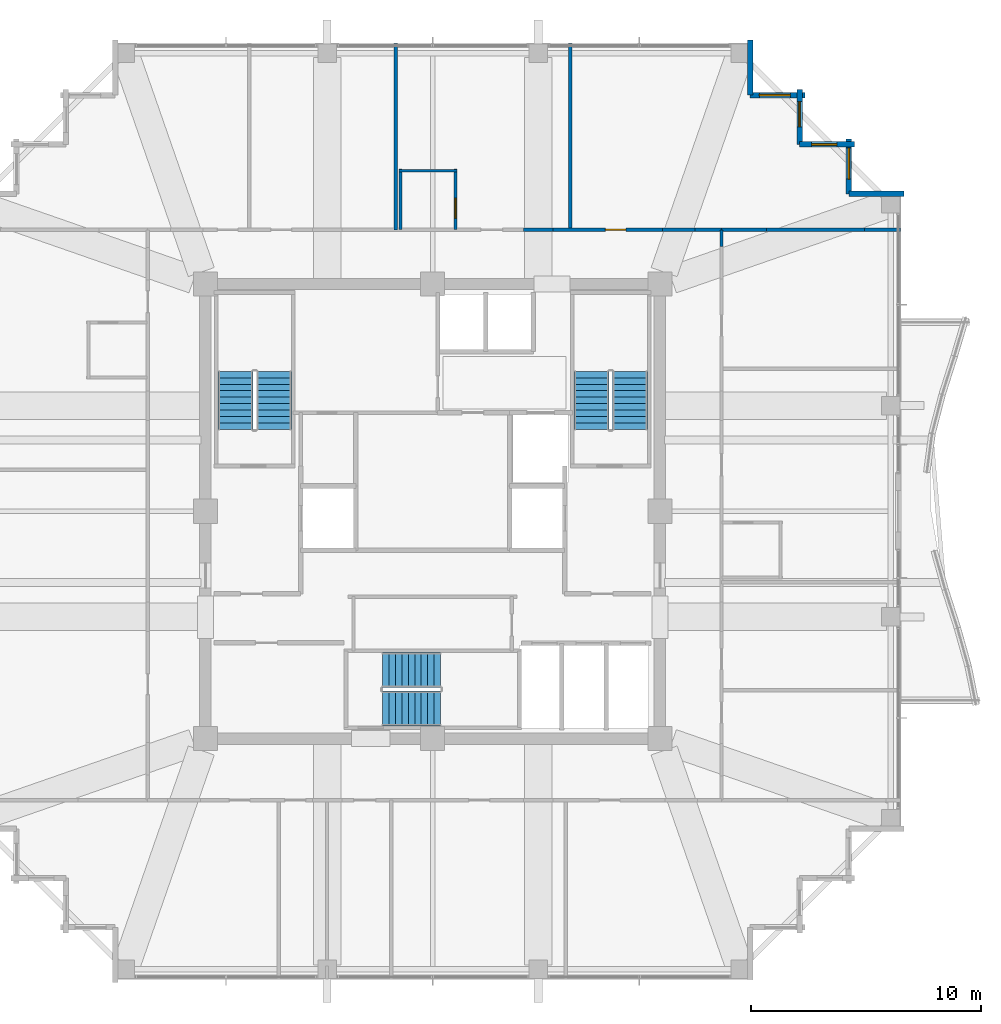
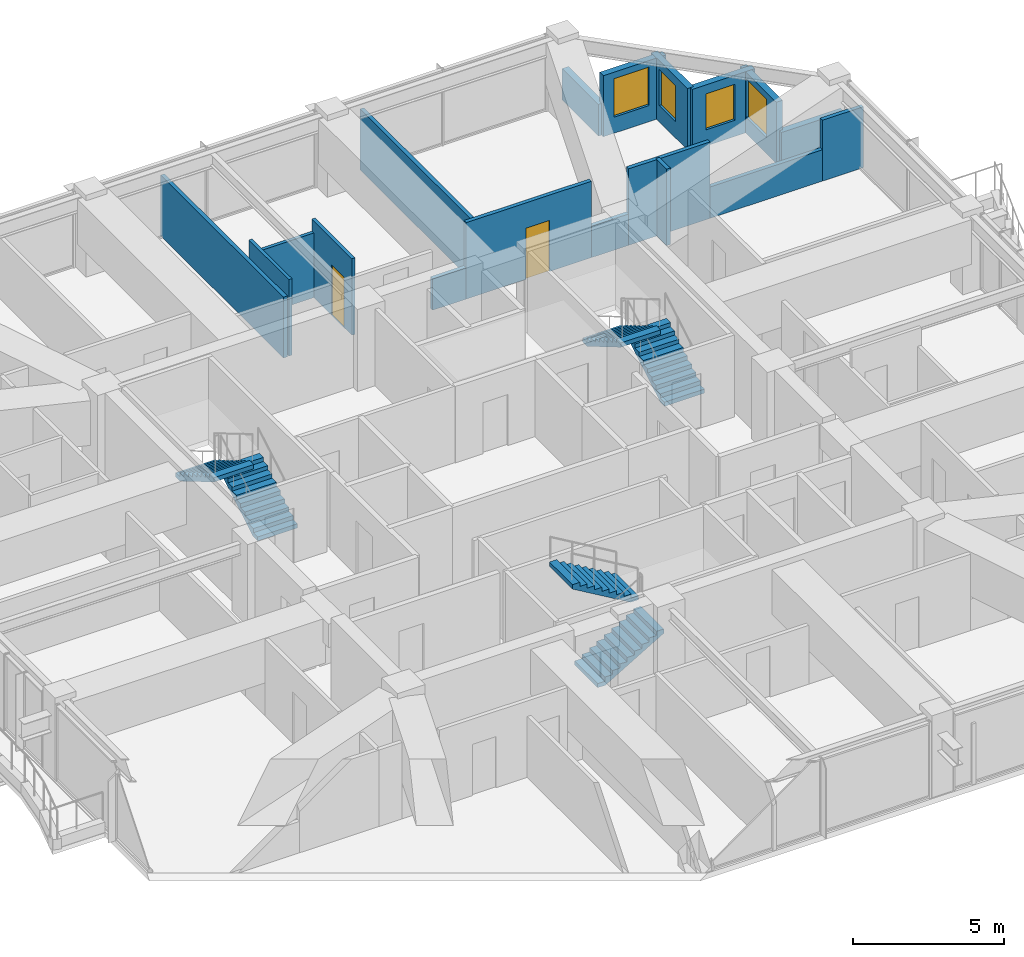
# One storey, part 33 of 35: 19 walls, 6 stair flights, 4 windows, 2 doors, 6 openings, 3 elements without a shape of their own.
"""IFC4 building model written with IfcOpenShell, lengths in metres."""

from ifc_helpers import new_model, si_unit, direction, frame, frame_2d, origin, place, context, subcontext, project, spatial, polyline, rectangle, outline, extrude, material, layer, layer_set, type_object, element, fill, aggregate, save


model = new_model("IFC4")

# Units and contexts
model_context = context("Model", 3, precision=1e-05, world=origin(), true_north=direction((0.0, 1.0)))
body_context = subcontext(model_context, "Body", "Model", "MODEL_VIEW")
ifc_project = project(units=[si_unit("LENGTHUNIT", "METRE"), si_unit("AREAUNIT", "SQUARE_METRE"), si_unit("VOLUMEUNIT", "CUBIC_METRE"), si_unit("PLANEANGLEUNIT", "RADIAN"), si_unit("MASSUNIT", "GRAM", prefix="KILO")], contexts=[model_context])

# Site, building, storey
site_placement = place(None, origin())
site = spatial("IfcSite", under=ifc_project, at=site_placement, CompositionType="ELEMENT")
building_placement = place(site_placement, origin())
building = spatial("IfcBuilding", under=site, at=building_placement, Name="Kolvaren Belvedere", CompositionType="ELEMENT")
storey_placement = place(building_placement, frame((0.0, 0.0, 203.10009765625)))
storey = spatial("IfcBuildingStorey", under=building, at=storey_placement, Name="L59", CompositionType="ELEMENT", Elevation=203.10009765625)

# Wall
ifc_material_1 = material(Name="Gypsum fire-rated partition assembly", Category="gypsum")
ifc_layer_1 = layer(ifc_material_1, 0.14990234375)
ifc_layer_set_1 = layer_set([ifc_layer_1], Name="Gypsum fire-rated partition assembly")
wall_type_1 = type_object("IfcWallType", Name="WL-CORR-150", PredefinedType="PARTITIONING", material=ifc_layer_set_1)
wall_1_placement = place(storey_placement, frame((3.9580078125, 12.260009765625, 0.0), z_axis=(0.0, 0.0, 1.0), x_axis=(1.0, 0.0, 0.0)))
element("IfcWall", 1, at=wall_1_placement, inside=storey, type_object=wall_type_1, Name="L59 North Corridor Wall", PredefinedType="PARTITIONING", context=body_context, shape_type="SweptSolid", body=[
    extrude(rectangle(XDim=1.283935546875, YDim=0.14990234375, at=frame_2d((0.64208984375, 0.0))), origin(), (0.0, 0.0, 1.0), 1.264892578125),
])

# Wall, opening, door
wall_2_placement = place(storey_placement, frame((5.241943359375, 12.260009765625, 0.0), z_axis=(0.0, 0.0, 1.0), x_axis=(1.0, 0.0, 0.0)))
wall_2 = element("IfcWall", 2, at=wall_2_placement, inside=storey, type_object=wall_type_1, Name="L59 North Corridor Wall", PredefinedType="PARTITIONING", context=body_context, shape_type="SweptSolid", body=[
    extrude(rectangle(XDim=4.771728515625, YDim=0.14990234375, at=frame_2d((2.3857421875, 0.0))), origin(), (0.0, 0.0, 1.0), 3.079833984375),
])
opening_1_placement = place(wall_2_placement, frame((2.27783203125, 0.0, 0.0)))
opening_1 = element("IfcOpeningElement", 3, at=opening_1_placement, cuts=wall_2, Name="Opening D-INT90", PredefinedType="OPENING", context=body_context, shape_type="SweptSolid", body=[
    extrude(rectangle(XDim=0.89990234375, YDim=2.06005859375, at=frame_2d((0.449951171875, 1.030029296875))), frame((0.0, 0.0849609375, 0.0), z_axis=(0.0, -1.0, 0.0), x_axis=(1.0, 0.0, 0.0)), (0.0, 0.0, 1.0), 0.169921875),
])
ifc_material_2 = material(Name="Stained Pacific white oak", Category="timber")
door_type_1 = type_object("IfcDoorType", Name="DR-INT-900", OperationType="NOTDEFINED", PredefinedType="DOOR", material=ifc_material_2)
door_1_placement = place(opening_1_placement, origin())
door_1 = element("IfcDoor", 4, at=door_1_placement, inside=storey, type_object=door_type_1, Name="L59 Lounge 5913 Door", OperationType="SINGLE_SWING_LEFT", OverallHeight=2.06005859375, OverallWidth=0.89990234375, PredefinedType="DOOR", context=body_context, shape_type="SweptSolid", body=[
    extrude(rectangle(XDim=0.89990234375, YDim=2.06005859375, at=frame_2d((0.449951171875, 1.030029296875))), frame((0.0, 0.02490234375, 0.0), z_axis=(0.0, -1.0, 0.0), x_axis=(1.0, 0.0, 0.0)), (0.0, 0.0, 1.0), 0.050048828125),
])
fill(opening_1, door_1)

# Walls
wall_3_placement = place(storey_placement, frame((10.013671875, 12.260009765625, 0.0), z_axis=(0.0, 0.0, 1.0), x_axis=(1.0, 0.0, 0.0)))
element("IfcWall", 5, at=wall_3_placement, inside=storey, type_object=wall_type_1, Name="L59 North Corridor Wall", PredefinedType="PARTITIONING", context=body_context, shape_type="SweptSolid", body=[
    extrude(rectangle(XDim=1.416748046875, YDim=0.14990234375, at=frame_2d((0.70849609375, 0.0))), origin(), (0.0, 0.0, 1.0), 1.264892578125),
])
wall_4_placement = place(storey_placement, frame((11.430419921875, 12.260009765625, 0.0), z_axis=(0.0, 0.0, 1.0), x_axis=(1.0, 0.0, 0.0)))
element("IfcWall", 6, at=wall_4_placement, inside=storey, type_object=wall_type_1, Name="L59 North Corridor Wall", PredefinedType="PARTITIONING", context=body_context, shape_type="SweptSolid", body=[
    extrude(rectangle(XDim=1.149658203125, YDim=0.14990234375, at=frame_2d((0.57470703125, 0.0))), origin(), (0.0, 0.0, 1.0), 3.079833984375),
])
wall_5_placement = place(storey_placement, frame((12.580078125, 11.541748046875, 0.0), z_axis=(0.0, 0.0, 1.0), x_axis=(0.0, 1.0, 0.0)))
element("IfcWall", 7, at=wall_5_placement, inside=storey, type_object=wall_type_1, Name="L59 East Corridor Wall", PredefinedType="PARTITIONING", context=body_context, shape_type="SweptSolid", body=[
    extrude(rectangle(XDim=0.71826171875, YDim=0.14990234375, at=frame_2d((0.359130859375, 0.0))), origin(), (0.0, 0.0, 1.0), 3.079833984375),
])
ifc_material_3 = material(Name="Insulated pale-metal facade wall assembly", Category="aluminium")
ifc_layer_2 = layer(ifc_material_3, 0.239990234375)
ifc_layer_set_2 = layer_set([ifc_layer_2], Name="Insulated pale-metal facade wall assembly")
wall_type_2 = type_object("IfcWallType", Name="WL-EXT-240", PredefinedType="STANDARD", material=ifc_layer_set_2)
wall_6_placement = place(storey_placement, frame((18.1298828125, 13.830078125, 0.0), z_axis=(0.0, 0.0, 1.0), x_axis=(1.0, 0.0, 0.0)))
element("IfcWall", 8, at=wall_6_placement, inside=storey, type_object=wall_type_2, Name="L59 Serrated Corner Facade Wall 9", PredefinedType="STANDARD", context=body_context, shape_type="SweptSolid", body=[
    extrude(rectangle(XDim=2.39013671875, YDim=0.239990234375, at=frame_2d((1.195068359375, 0.0))), origin(), (0.0, 0.0, 1.0), 1.27490234375),
])

# Wall, opening, window
wall_7_placement = place(storey_placement, frame((18.1298828125, 16.219970703125, 0.0), z_axis=(0.0, 0.0, 1.0), x_axis=(0.0, -1.0, 0.0)))
wall_7 = element("IfcWall", 9, at=wall_7_placement, inside=storey, type_object=wall_type_2, Name="L59 Serrated Corner Facade Wall 10", PredefinedType="STANDARD", context=body_context, shape_type="SweptSolid", body=[
    extrude(rectangle(XDim=2.389892578125, YDim=0.239990234375, at=frame_2d((1.19482421875, 0.0))), origin(), (0.0, 0.0, 1.0), 2.462890625),
])
opening_2_placement = place(wall_7_placement, frame((0.39990234375, 0.0, 0.64990234375)))
opening_2 = element("IfcOpeningElement", 10, at=opening_2_placement, cuts=wall_7, Name="Opening W-1350", PredefinedType="OPENING", context=body_context, shape_type="SweptSolid", body=[
    extrude(rectangle(XDim=1.35009765625, YDim=1.550048828125, at=frame_2d((0.675048828125, 0.77490234375))), frame((0.0, 0.1298828125, 0.0), z_axis=(0.0, -1.0, 0.0), x_axis=(1.0, 0.0, 0.0)), (0.0, 0.0, 1.0), 0.260009765625),
])
ifc_material_4 = material(Name="Low-iron triple insulated glass", Category="glass")
window_type_1 = type_object("IfcWindowType", Name="WN-CORN-1350", PartitioningType="SINGLE_PANEL", PredefinedType="WINDOW", material=ifc_material_4)
window_1_placement = place(opening_2_placement, origin())
window_1 = element("IfcWindow", 11, at=window_1_placement, inside=storey, type_object=window_type_1, Name="L59 Serrated Corner Vision Window 10", OverallHeight=1.550048828125, OverallWidth=1.35009765625, PartitioningType="SINGLE_PANEL", PredefinedType="WINDOW", context=body_context, shape_type="SweptSolid", body=[
    extrude(rectangle(XDim=1.35009765625, YDim=1.550048828125, at=frame_2d((0.675048828125, 0.77490234375))), frame((0.0, 0.030029296875, 0.0), z_axis=(0.0, -1.0, 0.0), x_axis=(1.0, 0.0, 0.0)), (0.0, 0.0, 1.0), 0.06005859375),
])
fill(opening_2, window_1)

wall_8_placement = place(storey_placement, frame((15.97998046875, 15.97998046875, 0.0), z_axis=(0.0, 0.0, 1.0), x_axis=(1.0, 0.0, 0.0)))
wall_8 = element("IfcWall", 12, at=wall_8_placement, inside=storey, type_object=wall_type_2, Name="L59 Serrated Corner Facade Wall 11", PredefinedType="STANDARD", context=body_context, shape_type="SweptSolid", body=[
    extrude(rectangle(XDim=2.39013671875, YDim=0.239990234375, at=frame_2d((1.195068359375, 0.0))), origin(), (0.0, 0.0, 1.0), 2.462890625),
])
opening_3_placement = place(wall_8_placement, frame((0.52490234375, 0.0, 0.64990234375)))
opening_3 = element("IfcOpeningElement", 13, at=opening_3_placement, cuts=wall_8, Name="Opening W-1100", PredefinedType="OPENING", context=body_context, shape_type="SweptSolid", body=[
    extrude(rectangle(XDim=1.10009765625, YDim=1.449951171875, at=frame_2d((0.550048828125, 0.72509765625))), frame((0.0, 0.1298828125, 0.0), z_axis=(0.0, -1.0, 0.0), x_axis=(1.0, 0.0, 0.0)), (0.0, 0.0, 1.0), 0.260009765625),
])
ifc_material_5 = material(Name="Low-iron triple insulated glass", Category="glass")
window_type_2 = type_object("IfcWindowType", Name="WN-CORN-1100", PartitioningType="SINGLE_PANEL", PredefinedType="WINDOW", material=ifc_material_5)
window_2_placement = place(opening_3_placement, origin())
window_2 = element("IfcWindow", 14, at=window_2_placement, inside=storey, type_object=window_type_2, Name="L59 Serrated Corner Vision Window 11", OverallHeight=1.449951171875, OverallWidth=1.10009765625, PartitioningType="SINGLE_PANEL", PredefinedType="WINDOW", context=body_context, shape_type="SweptSolid", body=[
    extrude(rectangle(XDim=1.10009765625, YDim=1.449951171875, at=frame_2d((0.550048828125, 0.72509765625))), frame((0.0, 0.030029296875, 0.0), z_axis=(0.0, -1.0, 0.0), x_axis=(1.0, 0.0, 0.0)), (0.0, 0.0, 1.0), 0.06005859375),
])
fill(opening_3, window_2)

wall_9_placement = place(storey_placement, frame((15.97998046875, 18.3701171875, 0.0), z_axis=(0.0, 0.0, 1.0), x_axis=(0.0, -1.0, 0.0)))
wall_9 = element("IfcWall", 15, at=wall_9_placement, inside=storey, type_object=wall_type_2, Name="L59 Serrated Corner Facade Wall 12", PredefinedType="STANDARD", context=body_context, shape_type="SweptSolid", body=[
    extrude(rectangle(XDim=2.39013671875, YDim=0.239990234375, at=frame_2d((1.195068359375, 0.0))), origin(), (0.0, 0.0, 1.0), 2.462890625),
])
opening_4_placement = place(wall_9_placement, frame((0.52490234375, 0.0, 0.64990234375)))
opening_4 = element("IfcOpeningElement", 16, at=opening_4_placement, cuts=wall_9, Name="Opening W-1100", PredefinedType="OPENING", context=body_context, shape_type="SweptSolid", body=[
    extrude(rectangle(XDim=1.10009765625, YDim=1.449951171875, at=frame_2d((0.550048828125, 0.72509765625))), frame((0.0, 0.1298828125, 0.0), z_axis=(0.0, -1.0, 0.0), x_axis=(1.0, 0.0, 0.0)), (0.0, 0.0, 1.0), 0.260009765625),
])
window_3_placement = place(opening_4_placement, origin())
window_3 = element("IfcWindow", 17, at=window_3_placement, inside=storey, type_object=window_type_2, Name="L59 Serrated Corner Vision Window 12", OverallHeight=1.449951171875, OverallWidth=1.10009765625, PartitioningType="SINGLE_PANEL", PredefinedType="WINDOW", context=body_context, shape_type="SweptSolid", body=[
    extrude(rectangle(XDim=1.10009765625, YDim=1.449951171875, at=frame_2d((0.550048828125, 0.72509765625))), frame((0.0, 0.030029296875, 0.0), z_axis=(0.0, -1.0, 0.0), x_axis=(1.0, 0.0, 0.0)), (0.0, 0.0, 1.0), 0.06005859375),
])
fill(opening_4, window_3)

wall_10_placement = place(storey_placement, frame((13.830078125, 18.1298828125, 0.0), z_axis=(0.0, 0.0, 1.0), x_axis=(1.0, 0.0, 0.0)))
wall_10 = element("IfcWall", 18, at=wall_10_placement, inside=storey, type_object=wall_type_2, Name="L59 Serrated Corner Facade Wall 13", PredefinedType="STANDARD", context=body_context, shape_type="SweptSolid", body=[
    extrude(rectangle(XDim=2.389892578125, YDim=0.239990234375, at=frame_2d((1.19482421875, 0.0))), origin(), (0.0, 0.0, 1.0), 2.462890625),
])
opening_5_placement = place(wall_10_placement, frame((0.39990234375, 0.0, 0.64990234375)))
opening_5 = element("IfcOpeningElement", 19, at=opening_5_placement, cuts=wall_10, Name="Opening W-1350", PredefinedType="OPENING", context=body_context, shape_type="SweptSolid", body=[
    extrude(rectangle(XDim=1.35009765625, YDim=1.550048828125, at=frame_2d((0.675048828125, 0.77490234375))), frame((0.0, 0.1298828125, 0.0), z_axis=(0.0, -1.0, 0.0), x_axis=(1.0, 0.0, 0.0)), (0.0, 0.0, 1.0), 0.260009765625),
])
window_4_placement = place(opening_5_placement, origin())
window_4 = element("IfcWindow", 20, at=window_4_placement, inside=storey, type_object=window_type_1, Name="L59 Serrated Corner Vision Window 13", OverallHeight=1.550048828125, OverallWidth=1.35009765625, PartitioningType="SINGLE_PANEL", PredefinedType="WINDOW", context=body_context, shape_type="SweptSolid", body=[
    extrude(rectangle(XDim=1.35009765625, YDim=1.550048828125, at=frame_2d((0.675048828125, 0.77490234375))), frame((0.0, 0.030029296875, 0.0), z_axis=(0.0, -1.0, 0.0), x_axis=(1.0, 0.0, 0.0)), (0.0, 0.0, 1.0), 0.06005859375),
])
fill(opening_5, window_4)

# Walls
wall_11_placement = place(storey_placement, frame((13.830078125, 20.52001953125, 0.0), z_axis=(0.0, 0.0, 1.0), x_axis=(0.0, -1.0, 0.0)))
element("IfcWall", 21, at=wall_11_placement, inside=storey, type_object=wall_type_2, Name="L59 Serrated Corner Facade Wall 14", PredefinedType="STANDARD", context=body_context, shape_type="SweptSolid", body=[
    extrude(rectangle(XDim=2.39013671875, YDim=0.239990234375, at=frame_2d((1.195068359375, 0.0))), origin(), (0.0, 0.0, 1.0), 1.27490234375),
])
ifc_material_6 = material(Name="Gypsum acoustic partition assembly", Category="gypsum")
ifc_layer_3 = layer(ifc_material_6, 0.14990234375)
ifc_layer_set_3 = layer_set([ifc_layer_3], Name="Gypsum acoustic partition assembly")
wall_type_3 = type_object("IfcWallType", Name="WL-PART-150", PredefinedType="PARTITIONING", material=ifc_layer_set_3)
wall_12_placement = place(storey_placement, frame((12.580078125, 12.260009765625, 0.0), z_axis=(0.0, 0.0, 1.0), x_axis=(1.0, 0.0, 0.0)))
element("IfcWall", 22, at=wall_12_placement, inside=storey, type_object=wall_type_3, Name="L59 Wing Divider PW-L59-QNE", PredefinedType="PARTITIONING", context=body_context, shape_type="SweptSolid", body=[
    extrude(rectangle(XDim=1.955810546875, YDim=0.14990234375, at=frame_2d((0.97802734375, 0.0))), origin(), (0.0, 0.0, 1.0), 3.079833984375),
])
wall_13_placement = place(storey_placement, frame((14.535888671875, 12.260009765625, 0.0), z_axis=(0.0, 0.0, 1.0), x_axis=(1.0, 0.0, 0.0)))
element("IfcWall", 23, at=wall_13_placement, inside=storey, type_object=wall_type_3, Name="L59 Wing Divider PW-L59-QNE", PredefinedType="PARTITIONING", context=body_context, shape_type="SweptSolid", body=[
    extrude(rectangle(XDim=4.28125, YDim=0.14990234375, at=frame_2d((2.140625, 0.0))), origin(), (0.0, 0.0, 1.0), 1.264892578125),
])
wall_14_placement = place(storey_placement, frame((18.817138671875, 12.260009765625, 0.0), z_axis=(0.0, 0.0, 1.0), x_axis=(1.0, 0.0, 0.0)))
element("IfcWall", 24, at=wall_14_placement, inside=storey, type_object=wall_type_3, Name="L59 Wing Divider PW-L59-QNE", PredefinedType="PARTITIONING", context=body_context, shape_type="SweptSolid", body=[
    extrude(rectangle(XDim=1.562744140625, YDim=0.14990234375, at=frame_2d((0.78125, 0.0))), origin(), (0.0, 0.0, 1.0), 2.452880859375),
])
for number, where, z_axis, x_axis, name in (
    (25, (-1.60009765625, 12.260009765625, 0.0), (0.0, 0.0, 1.0), (0.0, 1.0, 0.0), "L59 North Suite Demising Wall 2"),
    (26, (6.0, 12.260009765625, 0.0), (0.0, 0.0, 1.0), (0.0, 1.0, 0.0), "L59 North Suite Demising Wall 3"),
):
    element("IfcWall", number, at=place(storey_placement, frame(where, z_axis=z_axis, x_axis=x_axis)), inside=storey, type_object=wall_type_3, Name=name, PredefinedType="PARTITIONING", context=body_context, shape_type="SweptSolid", body=[
        extrude(rectangle(XDim=8.119873046875, YDim=0.14990234375, at=frame_2d((4.06005859375, 0.0))), origin(), (0.0, 0.0, 1.0), 2.452880859375),
    ])

# Wall, opening, door
ifc_material_7 = material(Name="Moisture-resistant gypsum partition", Category="gypsum")
ifc_layer_4 = layer(ifc_material_7, 0.125)
ifc_layer_set_4 = layer_set([ifc_layer_4], Name="Moisture-resistant gypsum partition")
wall_type_4 = type_object("IfcWallType", Name="WL-WET-125", PredefinedType="PARTITIONING", material=ifc_layer_set_4)
wall_15_placement = place(storey_placement, frame((0.9951171875, 12.27490234375, 0.0), z_axis=(0.0, 0.0, 1.0), x_axis=(0.0, 1.0, 0.0)))
wall_15 = element("IfcWall", 27, at=wall_15_placement, inside=storey, type_object=wall_type_4, Name="L59 Bathroom Partition PW-L59-BTH-12-E", PredefinedType="PARTITIONING", context=body_context, shape_type="SweptSolid", body=[
    extrude(rectangle(XDim=2.64013671875, YDim=0.125, at=frame_2d((1.320068359375, 0.0))), origin(), (0.0, 0.0, 1.0), 3.079833984375),
])
opening_6_placement = place(wall_15_placement, frame((0.5, 0.0, 0.0)))
opening_6 = element("IfcOpeningElement", 28, at=opening_6_placement, cuts=wall_15, Name="Opening D-BTH85", PredefinedType="OPENING", context=body_context, shape_type="SweptSolid", body=[
    extrude(rectangle(XDim=0.85009765625, YDim=2.030029296875, at=frame_2d((0.425048828125, 1.01513671875))), frame((0.0, 0.072509765625, 0.0), z_axis=(0.0, -1.0, 0.0), x_axis=(1.0, 0.0, 0.0)), (0.0, 0.0, 1.0), 0.14501953125),
])
ifc_material_8 = material(Name="Moisture-sealed Pacific white oak", Category="timber")
door_type_2 = type_object("IfcDoorType", Name="DR-BATH-850", OperationType="NOTDEFINED", PredefinedType="DOOR", material=ifc_material_8)
door_2_placement = place(opening_6_placement, origin())
door_2 = element("IfcDoor", 29, at=door_2_placement, inside=storey, type_object=door_type_2, Name="L59 En-Suite Bathroom 5912 Door", OperationType="SINGLE_SWING_LEFT", OverallHeight=2.030029296875, OverallWidth=0.85009765625, PredefinedType="DOOR", context=body_context, shape_type="SweptSolid", body=[
    extrude(rectangle(XDim=0.85009765625, YDim=2.030029296875, at=frame_2d((0.425048828125, 1.01513671875))), frame((0.0, 0.02490234375, 0.0), z_axis=(0.0, -1.0, 0.0), x_axis=(1.0, 0.0, 0.0)), (0.0, 0.0, 1.0), 0.050048828125),
])
fill(opening_6, door_2)

# Walls
wall_16_placement = place(storey_placement, frame((-1.465087890625, 14.8349609375, 0.0), z_axis=(0.0, 0.0, 1.0), x_axis=(1.0, 0.0, 0.0)))
element("IfcWall", 30, at=wall_16_placement, inside=storey, type_object=wall_type_4, Name="L59 Bathroom Partition PW-L59-BTH-12-H", PredefinedType="PARTITIONING", context=body_context, shape_type="SweptSolid", body=[
    extrude(rectangle(XDim=2.52001953125, YDim=0.125, at=frame_2d((1.260009765625, 0.0))), origin(), (0.0, 0.0, 1.0), 2.60498046875),
])
wall_17_placement = place(storey_placement, frame((-1.405029296875, 12.27490234375, 0.0), z_axis=(0.0, 0.0, 1.0), x_axis=(0.0, 1.0, 0.0)))
element("IfcWall", 31, at=wall_17_placement, inside=storey, type_object=wall_type_4, Name="L59 Bathroom Partition PW-L59-BTH-12-W", PredefinedType="PARTITIONING", context=body_context, shape_type="SweptSolid", body=[
    extrude(rectangle(XDim=2.64013671875, YDim=0.125, at=frame_2d((1.320068359375, 0.0))), origin(), (0.0, 0.0, 1.0), 3.079833984375),
])

# Stair, stair flights
ifc_material_9 = material(Name="Concrete C50/60", Category="concrete")
stair_type = type_object("IfcStairType", Name="ST-CORE-1520", PredefinedType="HALF_TURN_STAIR", material=ifc_material_9)
stair_1_placement = place(storey_placement, origin())
stair_1 = element("IfcStair", 32, at=stair_1_placement, inside=storey, type_object=stair_type, Name="L59 Protected Exit Stair ST-1", PredefinedType="HALF_TURN_STAIR")
ifc_material_10 = material(Name="Concrete C50/60", Category="concrete")
stair_flight_type = type_object("IfcStairFlightType", Name="SF-STR-1520", PredefinedType="STRAIGHT", material=ifc_material_10)
stair_flight_1_placement = place(storey_placement, frame((-6.919921875, 3.570068359375, 0.0), z_axis=(0.0, 0.0, 1.0), x_axis=(0.0, 1.0, 0.0)))
stair_flight_1 = element("IfcStairFlight", 33, at=stair_flight_1_placement, type_object=stair_flight_type, Name="ST-1 flight 1", NumberOfRisers=10, NumberOfTreads=9, PredefinedType="STRAIGHT", RiserHeight=0.165, TreadLength=0.28, context=body_context, shape_type="SweptSolid", body=[
    extrude(outline(polyline([(0.0, 0.0), (0.0, 0.1650390625), (0.280029296875, 0.1650390625), (0.280029296875, 0.330078125), (0.56005859375, 0.330078125), (0.56005859375, 0.4951171875), (0.840087890625, 0.4951171875), (0.840087890625, 0.659912109375), (1.1201171875, 0.659912109375), (1.1201171875, 0.824951171875), (1.39990234375, 0.824951171875), (1.39990234375, 0.989990234375), (1.679931640625, 0.989990234375), (1.679931640625, 1.155029296875), (1.9599609375, 1.155029296875), (1.9599609375, 1.320068359375), (2.239990234375, 1.320068359375), (2.239990234375, 1.485107421875), (2.52001953125, 1.485107421875), (2.52001953125, 1.64990234375), (2.52001953125, 1.31103515625), (0.295166015625, 0.0), (0.0, 0.0)])), frame((0.0, 0.760009765625, 0.0), z_axis=(0.0, -1.0, 0.0), x_axis=(1.0, 0.0, 0.0)), (0.0, 0.0, 1.0), 1.52001953125),
])
stair_flight_2_placement = place(storey_placement, frame((-8.590087890625, 6.090087890625, 1.64990234375), z_axis=(0.0, 0.0, 1.0), x_axis=(0.0, -1.0, 0.0)))
stair_flight_2 = element("IfcStairFlight", 34, at=stair_flight_2_placement, type_object=stair_flight_type, Name="ST-1 flight 2", NumberOfRisers=10, NumberOfTreads=9, PredefinedType="STRAIGHT", RiserHeight=0.165, TreadLength=0.28, context=body_context, shape_type="SweptSolid", body=[
    extrude(outline(polyline([(0.0, 0.0), (0.0, 0.1650390625), (0.280029296875, 0.1650390625), (0.280029296875, 0.330078125), (0.56005859375, 0.330078125), (0.56005859375, 0.4951171875), (0.840087890625, 0.4951171875), (0.840087890625, 0.659912109375), (1.1201171875, 0.659912109375), (1.1201171875, 0.824951171875), (1.39990234375, 0.824951171875), (1.39990234375, 0.989990234375), (1.679931640625, 0.989990234375), (1.679931640625, 1.155029296875), (1.9599609375, 1.155029296875), (1.9599609375, 1.320068359375), (2.239990234375, 1.320068359375), (2.239990234375, 1.485107421875), (2.52001953125, 1.485107421875), (2.52001953125, 1.64990234375), (2.52001953125, 1.31103515625), (0.295166015625, 0.0), (0.0, 0.0)])), frame((0.0, 0.760009765625, 0.0), z_axis=(0.0, -1.0, 0.0), x_axis=(1.0, 0.0, 0.0)), (0.0, 0.0, 1.0), 1.52001953125),
])
aggregate(stair_1, [stair_flight_1, stair_flight_2])

stair_2_placement = place(storey_placement, origin())
stair_2 = element("IfcStair", 35, at=stair_2_placement, inside=storey, type_object=stair_type, Name="L59 Protected Exit Stair ST-2", PredefinedType="HALF_TURN_STAIR")
stair_flight_3_placement = place(storey_placement, frame((8.590087890625, 3.570068359375, 0.0), z_axis=(0.0, 0.0, 1.0), x_axis=(0.0, 1.0, 0.0)))
stair_flight_3 = element("IfcStairFlight", 36, at=stair_flight_3_placement, type_object=stair_flight_type, Name="ST-2 flight 1", NumberOfRisers=10, NumberOfTreads=9, PredefinedType="STRAIGHT", RiserHeight=0.165, TreadLength=0.28, context=body_context, shape_type="SweptSolid", body=[
    extrude(outline(polyline([(0.0, 0.0), (0.0, 0.1650390625), (0.280029296875, 0.1650390625), (0.280029296875, 0.330078125), (0.56005859375, 0.330078125), (0.56005859375, 0.4951171875), (0.840087890625, 0.4951171875), (0.840087890625, 0.659912109375), (1.1201171875, 0.659912109375), (1.1201171875, 0.824951171875), (1.39990234375, 0.824951171875), (1.39990234375, 0.989990234375), (1.679931640625, 0.989990234375), (1.679931640625, 1.155029296875), (1.9599609375, 1.155029296875), (1.9599609375, 1.320068359375), (2.239990234375, 1.320068359375), (2.239990234375, 1.485107421875), (2.52001953125, 1.485107421875), (2.52001953125, 1.64990234375), (2.52001953125, 1.31103515625), (0.295166015625, 0.0), (0.0, 0.0)])), frame((0.0, 0.760009765625, 0.0), z_axis=(0.0, -1.0, 0.0), x_axis=(1.0, 0.0, 0.0)), (0.0, 0.0, 1.0), 1.52001953125),
])
stair_flight_4_placement = place(storey_placement, frame((6.919921875, 6.090087890625, 1.64990234375), z_axis=(0.0, 0.0, 1.0), x_axis=(0.0, -1.0, 0.0)))
stair_flight_4 = element("IfcStairFlight", 37, at=stair_flight_4_placement, type_object=stair_flight_type, Name="ST-2 flight 2", NumberOfRisers=10, NumberOfTreads=9, PredefinedType="STRAIGHT", RiserHeight=0.165, TreadLength=0.28, context=body_context, shape_type="SweptSolid", body=[
    extrude(outline(polyline([(0.0, 0.0), (0.0, 0.1650390625), (0.280029296875, 0.1650390625), (0.280029296875, 0.330078125), (0.56005859375, 0.330078125), (0.56005859375, 0.4951171875), (0.840087890625, 0.4951171875), (0.840087890625, 0.659912109375), (1.1201171875, 0.659912109375), (1.1201171875, 0.824951171875), (1.39990234375, 0.824951171875), (1.39990234375, 0.989990234375), (1.679931640625, 0.989990234375), (1.679931640625, 1.155029296875), (1.9599609375, 1.155029296875), (1.9599609375, 1.320068359375), (2.239990234375, 1.320068359375), (2.239990234375, 1.485107421875), (2.52001953125, 1.485107421875), (2.52001953125, 1.64990234375), (2.52001953125, 1.31103515625), (0.295166015625, 0.0), (0.0, 0.0)])), frame((0.0, 0.760009765625, 0.0), z_axis=(0.0, -1.0, 0.0), x_axis=(1.0, 0.0, 0.0)), (0.0, 0.0, 1.0), 1.52001953125),
])
aggregate(stair_2, [stair_flight_3, stair_flight_4])

stair_3_placement = place(storey_placement, origin())
stair_3 = element("IfcStair", 38, at=stair_3_placement, inside=storey, type_object=stair_type, Name="L59 Protected Exit Stair ST-3", PredefinedType="HALF_TURN_STAIR")
stair_flight_5_placement = place(storey_placement, frame((-2.179931640625, -8.590087890625, 0.0), z_axis=(0.0, 0.0, 1.0), x_axis=(1.0, 0.0, 0.0)))
stair_flight_5 = element("IfcStairFlight", 39, at=stair_flight_5_placement, type_object=stair_flight_type, Name="ST-3 flight 1", NumberOfRisers=10, NumberOfTreads=9, PredefinedType="STRAIGHT", RiserHeight=0.165, TreadLength=0.28, context=body_context, shape_type="SweptSolid", body=[
    extrude(outline(polyline([(0.0, 0.0), (0.0, 0.1650390625), (0.280029296875, 0.1650390625), (0.280029296875, 0.330078125), (0.56005859375, 0.330078125), (0.56005859375, 0.4951171875), (0.840087890625, 0.4951171875), (0.840087890625, 0.659912109375), (1.1201171875, 0.659912109375), (1.1201171875, 0.824951171875), (1.39990234375, 0.824951171875), (1.39990234375, 0.989990234375), (1.679931640625, 0.989990234375), (1.679931640625, 1.155029296875), (1.9599609375, 1.155029296875), (1.9599609375, 1.320068359375), (2.239990234375, 1.320068359375), (2.239990234375, 1.485107421875), (2.52001953125, 1.485107421875), (2.52001953125, 1.64990234375), (2.52001953125, 1.31103515625), (0.295166015625, 0.0), (0.0, 0.0)])), frame((0.0, 0.760009765625, 0.0), z_axis=(0.0, -1.0, 0.0), x_axis=(1.0, 0.0, 0.0)), (0.0, 0.0, 1.0), 1.52001953125),
])
stair_flight_6_placement = place(storey_placement, frame((0.340087890625, -6.919921875, 1.64990234375), z_axis=(0.0, 0.0, 1.0), x_axis=(-1.0, 0.0, 0.0)))
stair_flight_6 = element("IfcStairFlight", 40, at=stair_flight_6_placement, type_object=stair_flight_type, Name="ST-3 flight 2", NumberOfRisers=10, NumberOfTreads=9, PredefinedType="STRAIGHT", RiserHeight=0.165, TreadLength=0.28, context=body_context, shape_type="SweptSolid", body=[
    extrude(outline(polyline([(0.0, 0.0), (0.0, 0.1650390625), (0.280029296875, 0.1650390625), (0.280029296875, 0.330078125), (0.56005859375, 0.330078125), (0.56005859375, 0.4951171875), (0.840087890625, 0.4951171875), (0.840087890625, 0.659912109375), (1.1201171875, 0.659912109375), (1.1201171875, 0.824951171875), (1.39990234375, 0.824951171875), (1.39990234375, 0.989990234375), (1.679931640625, 0.989990234375), (1.679931640625, 1.155029296875), (1.9599609375, 1.155029296875), (1.9599609375, 1.320068359375), (2.239990234375, 1.320068359375), (2.239990234375, 1.485107421875), (2.52001953125, 1.485107421875), (2.52001953125, 1.64990234375), (2.52001953125, 1.31103515625), (0.295166015625, 0.0), (0.0, 0.0)])), frame((0.0, 0.760009765625, 0.0), z_axis=(0.0, -1.0, 0.0), x_axis=(1.0, 0.0, 0.0)), (0.0, 0.0, 1.0), 1.52001953125),
])
aggregate(stair_3, [stair_flight_5, stair_flight_6])

save(model, "model.ifc")
